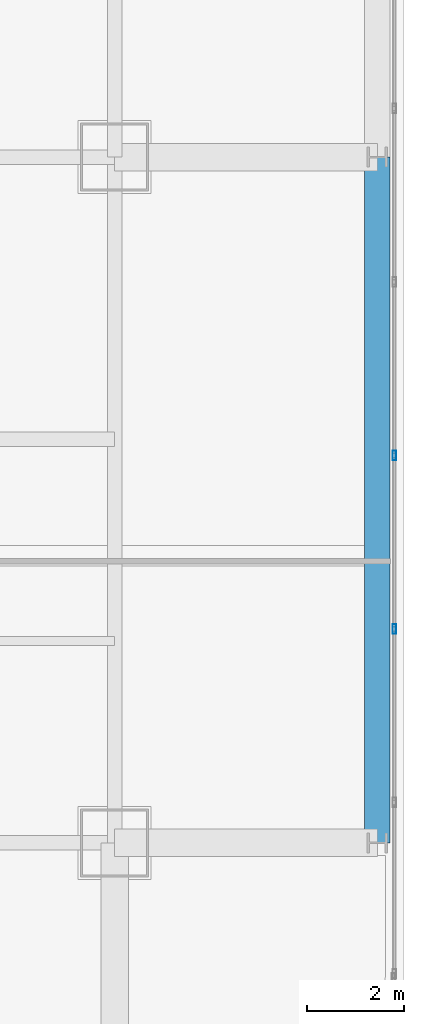
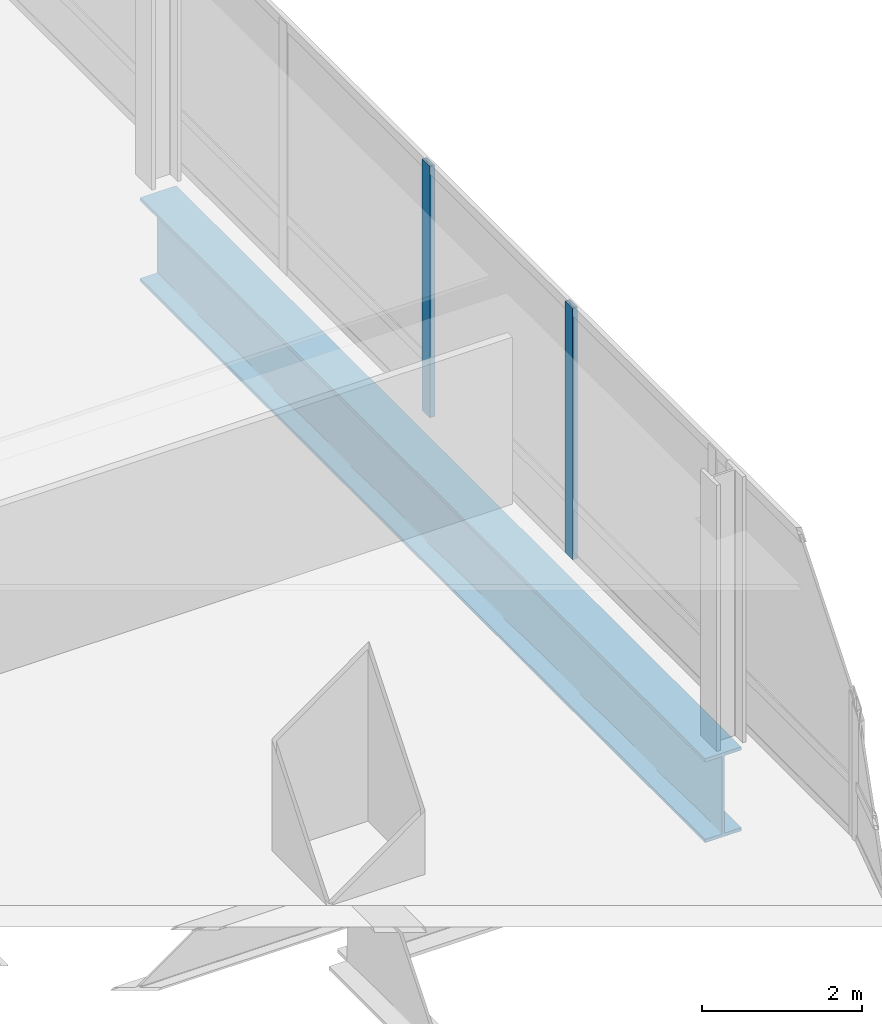
# One storey, part 15 of 36: 2 members, 1 beam, 1 element without a shape of its own.
"""IFC4 building model written with IfcOpenShell, lengths in metres."""

from ifc_helpers import new_model, si_unit, direction, frame, origin, origin_2d, place, context, subcontext, project, spatial, hollow_rectangle, i_section, extrude, material, material_profile, profile_set, type_object, element, aggregate, save


model = new_model("IFC4")

# Units and contexts
model_context = context("Model", 3, precision=1e-05, world=origin(), true_north=direction((0.0, 1.0)))
body_context = subcontext(model_context, "Body", "Model", "MODEL_VIEW")
ifc_project = project(units=[si_unit("LENGTHUNIT", "METRE"), si_unit("AREAUNIT", "SQUARE_METRE"), si_unit("VOLUMEUNIT", "CUBIC_METRE"), si_unit("PLANEANGLEUNIT", "RADIAN"), si_unit("MASSUNIT", "GRAM", prefix="KILO")], contexts=[model_context])

# Site, building, storey
site_placement = place(None, origin())
site = spatial("IfcSite", under=ifc_project, at=site_placement, CompositionType="ELEMENT")
building_placement = place(site_placement, origin())
building = spatial("IfcBuilding", under=site, at=building_placement, Name="Punatoya Terracotta Tower", CompositionType="ELEMENT")
storey_placement = place(building_placement, frame((0.0, 0.0, 212.699951171875)))
storey = spatial("IfcBuildingStorey", under=building, at=storey_placement, Name="L50", CompositionType="ELEMENT", Elevation=212.699951171875)

# Beam
ifc_material_1 = material(Name="Steel S460", Category="steel")
ifc_material_profile_1 = material_profile(ifc_material_1, i_section(OverallWidth=0.52001953125, OverallDepth=1.280029296875, WebThickness=0.031982421875, FlangeThickness=0.050048828125, FilletRadius=0.01806640625, at=origin_2d()))
ifc_profile_set_1 = profile_set([ifc_material_profile_1], Name="Steel S460")
beam_type = type_object("IfcBeamType", Name="BM-TG-NCK", PredefinedType="BEAM", material=ifc_profile_set_1)
beam_placement = place(storey_placement, frame((24.5, -17.5, -0.85986328125), z_axis=(0.0, 1.0, 0.0), x_axis=(-1.0, 0.0, 0.0)))
element("IfcBeam", 1, at=beam_placement, inside=storey, type_object=beam_type, Name="BM-L50-PER-E1", PredefinedType="BEAM", context=body_context, shape_type="SweptSolid", body=[
    extrude(i_section(OverallWidth=0.52001953125, OverallDepth=1.280029296875, WebThickness=0.031982421875, FlangeThickness=0.050048828125, FilletRadius=0.01806640625, at=origin_2d()), origin(), (0.0, 0.0, 1.0), 14.10009765625),
])

# Curtain wall, members
ifc_material_2 = material(Name="Aluminium 6063-T6 + Double Low-E Glass", Category="aluminium")
curtain_wall_type = type_object("IfcCurtainWallType", Name="CW-M2", PredefinedType="NOTDEFINED", material=ifc_material_2)
curtain_wall_placement = place(storey_placement, origin())
curtain_wall = element("IfcCurtainWall", 2, at=curtain_wall_placement, inside=storey, type_object=curtain_wall_type, Name="L50 Curtain Wall CW-L50-E05-1", PredefinedType="NOTDEFINED")
ifc_material_3 = material(Name="Aluminium 6063-T6", Category="aluminium")
ifc_material_profile_2 = material_profile(ifc_material_3, hollow_rectangle(XDim=0.072021484375, YDim=0.195068359375, WallThickness=0.00439453125, at=origin_2d()))
ifc_profile_set_2 = profile_set([ifc_material_profile_2], Name="Aluminium 6063-T6")
member_type = type_object("IfcMemberType", Name="CW-MUL-M2", PredefinedType="MULLION", material=ifc_profile_set_2)
member_1_placement = place(storey_placement, frame((24.85009765625, -13.10205078125, 0.0), z_axis=(0.0, 0.0, 1.0), x_axis=(1.0, 0.0, 0.0)))
member_1 = element("IfcMember", 3, at=member_1_placement, type_object=member_type, Name="CW-L50-E05-1 Mullion 02", PredefinedType="MULLION", context=body_context, shape_type="SweptSolid", body=[
    extrude(hollow_rectangle(XDim=0.072021484375, YDim=0.195068359375, WallThickness=0.00439453125, at=origin_2d()), origin(), (0.0, 0.0, 1.0), 3.830078125),
])
member_2_placement = place(storey_placement, frame((24.85009765625, -9.534912109375, 0.0), z_axis=(0.0, 0.0, 1.0), x_axis=(1.0, 0.0, 0.0)))
member_2 = element("IfcMember", 4, at=member_2_placement, type_object=member_type, Name="CW-L50-E05-1 Mullion 03", PredefinedType="MULLION", context=body_context, shape_type="SweptSolid", body=[
    extrude(hollow_rectangle(XDim=0.072021484375, YDim=0.195068359375, WallThickness=0.00439453125, at=origin_2d()), origin(), (0.0, 0.0, 1.0), 3.830078125),
])
aggregate(curtain_wall, [member_1, member_2])

save(model, "model.ifc")
